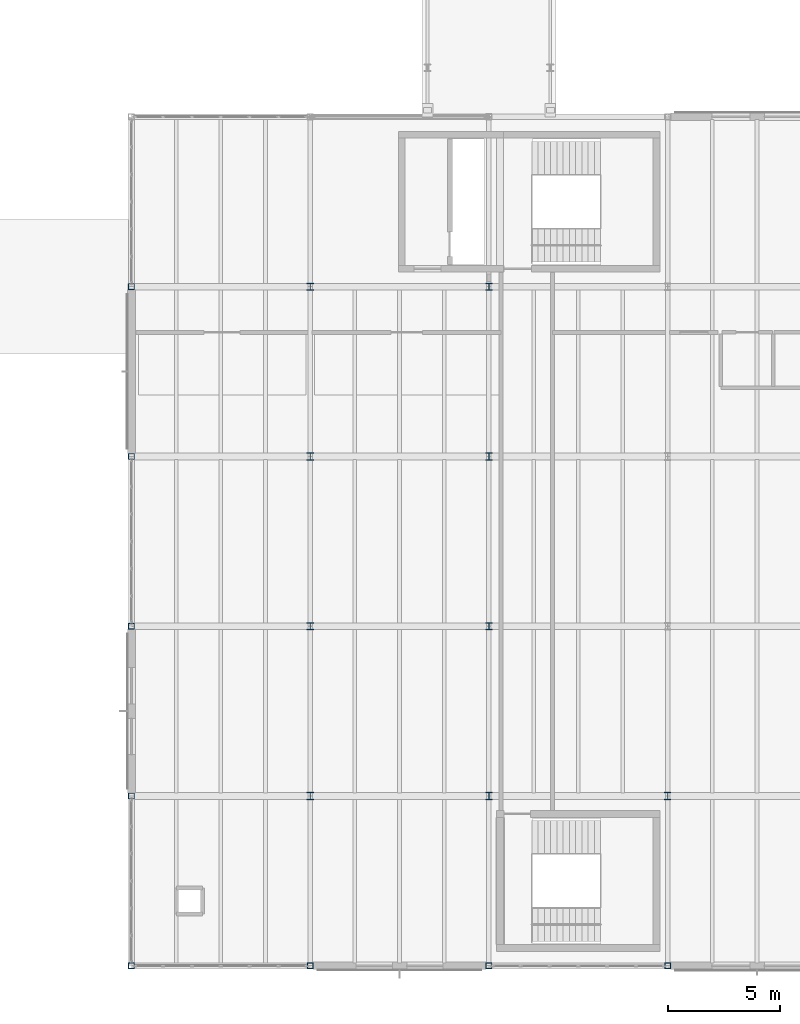
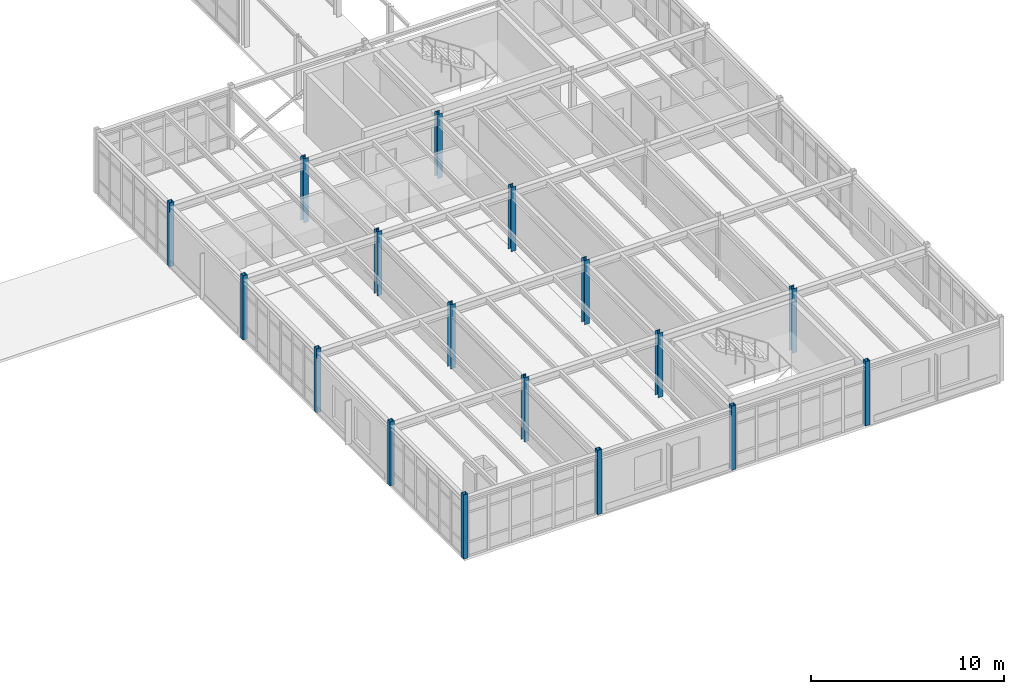
# One storey, part 17 of 189: 17 columns.
"""IFC4 building model written with IfcOpenShell, lengths in metres."""

from ifc_helpers import new_model, si_unit, direction, frame, origin, origin_2d, place, context, subcontext, project, spatial, hollow_rectangle, i_section, extrude, material, material_profile, profile_set, type_object, element, save


model = new_model("IFC4")

# Units and contexts
model_context = context("Model", 3, precision=1e-05, world=origin(), true_north=direction((0.0, 1.0)))
body_context = subcontext(model_context, "Body", "Model", "MODEL_VIEW")
ifc_project = project(units=[si_unit("LENGTHUNIT", "METRE"), si_unit("AREAUNIT", "SQUARE_METRE"), si_unit("VOLUMEUNIT", "CUBIC_METRE"), si_unit("PLANEANGLEUNIT", "RADIAN"), si_unit("MASSUNIT", "GRAM", prefix="KILO")], contexts=[model_context])

# Site, building, storey
site_placement = place(None, origin())
site = spatial("IfcSite", under=ifc_project, at=site_placement, CompositionType="ELEMENT")
building_placement = place(site_placement, origin())
building = spatial("IfcBuilding", under=site, at=building_placement, Name="Montecoro Central Library", CompositionType="ELEMENT")
storey_placement = place(building_placement, frame((0.0, 0.0, 9.179931640625)))
storey = spatial("IfcBuildingStorey", under=building, at=storey_placement, Name="L02", CompositionType="ELEMENT", Elevation=9.179931640625)

# Columns
ifc_material = material(Name="Steel S355", Category="steel")
ifc_material_profile_1 = material_profile(ifc_material, i_section(OverallWidth=0.300048828125, OverallDepth=0.320068359375, WebThickness=0.011474609375, FlangeThickness=0.0205078125, at=origin_2d()), Name="HEB 320")
ifc_profile_set_1 = profile_set([ifc_material_profile_1], Name="Steel S355")
column_type_1 = type_object("IfcColumnType", Name="COL-HEB320", PredefinedType="COLUMN", material=ifc_profile_set_1)
for number, where, z_axis, x_axis, name in (
    (1, (149.0, 12.60009765625, 0.0), (0.0, 0.0, 1.0), (1.0, 0.0, 0.0), "V6-L02-COL-19-B"),
    (2, (149.0, 20.199951171875, 0.0), (0.0, 0.0, 1.0), (1.0, 0.0, 0.0), "V6-L02-COL-19-C"),
    (3, (149.0, 27.800048828125, 0.0), (0.0, 0.0, 1.0), (1.0, 0.0, 0.0), "V6-L02-COL-19-D"),
    (4, (149.0, 35.39990234375, 0.0), (0.0, 0.0, 1.0), (1.0, 0.0, 0.0), "V6-L02-COL-19-E"),
    (5, (157.0, 12.60009765625, 0.0), (0.0, 0.0, 1.0), (1.0, 0.0, 0.0), "V6-L02-COL-20-B"),
    (6, (157.0, 20.199951171875, 0.0), (0.0, 0.0, 1.0), (1.0, 0.0, 0.0), "V6-L02-COL-20-C"),
    (7, (157.0, 27.800048828125, 0.0), (0.0, 0.0, 1.0), (1.0, 0.0, 0.0), "V6-L02-COL-20-D"),
    (8, (157.0, 35.39990234375, 0.0), (0.0, 0.0, 1.0), (1.0, 0.0, 0.0), "V6-L02-COL-20-E"),
    (9, (165.0, 12.60009765625, 0.0), (0.0, 0.0, 1.0), (1.0, 0.0, 0.0), "V6-L02-COL-21-B"),
):
    element("IfcColumn", number, at=place(storey_placement, frame(where, z_axis=z_axis, x_axis=x_axis)), inside=storey, type_object=column_type_1, Name=name, PredefinedType="COLUMN", context=body_context, shape_type="SweptSolid", body=[
        extrude(i_section(OverallWidth=0.300048828125, OverallDepth=0.320068359375, WebThickness=0.011474609375, FlangeThickness=0.0205078125, at=origin_2d()), origin(), (0.0, 0.0, 1.0), 4.05517578125),
    ])
ifc_material_profile_2 = material_profile(ifc_material, hollow_rectangle(XDim=0.260009765625, YDim=0.260009765625, WallThickness=0.012451171875, at=origin_2d()), Name="SHS 260x260x12.5")
ifc_profile_set_2 = profile_set([ifc_material_profile_2], Name="Steel S355")
column_type_2 = type_object("IfcColumnType", Name="COL-SHS260", PredefinedType="COLUMN", material=ifc_profile_set_2)
for number, where, z_axis, x_axis, name in (
    (10, (141.0, 5.0, 0.0), (0.0, 0.0, 1.0), (1.0, 0.0, 0.0), "V6-L02-COL-18-A"),
    (11, (141.0, 12.60009765625, 0.0), (0.0, 0.0, 1.0), (1.0, 0.0, 0.0), "V6-L02-COL-18-B"),
    (12, (141.0, 20.199951171875, 0.0), (0.0, 0.0, 1.0), (1.0, 0.0, 0.0), "V6-L02-COL-18-C"),
    (13, (141.0, 27.800048828125, 0.0), (0.0, 0.0, 1.0), (1.0, 0.0, 0.0), "V6-L02-COL-18-D"),
    (14, (141.0, 35.39990234375, 0.0), (0.0, 0.0, 1.0), (1.0, 0.0, 0.0), "V6-L02-COL-18-E"),
    (15, (149.0, 5.0, 0.0), (0.0, 0.0, 1.0), (1.0, 0.0, 0.0), "V6-L02-COL-19-A"),
    (16, (157.0, 5.0, 0.0), (0.0, 0.0, 1.0), (1.0, 0.0, 0.0), "V6-L02-COL-20-A"),
    (17, (165.0, 5.0, 0.0), (0.0, 0.0, 1.0), (1.0, 0.0, 0.0), "V6-L02-COL-21-A"),
):
    element("IfcColumn", number, at=place(storey_placement, frame(where, z_axis=z_axis, x_axis=x_axis)), inside=storey, type_object=column_type_2, Name=name, PredefinedType="COLUMN", context=body_context, shape_type="SweptSolid", body=[
        extrude(hollow_rectangle(XDim=0.260009765625, YDim=0.260009765625, WallThickness=0.012451171875, at=origin_2d()), origin(), (0.0, 0.0, 1.0), 4.05517578125),
    ])

save(model, "model.ifc")
